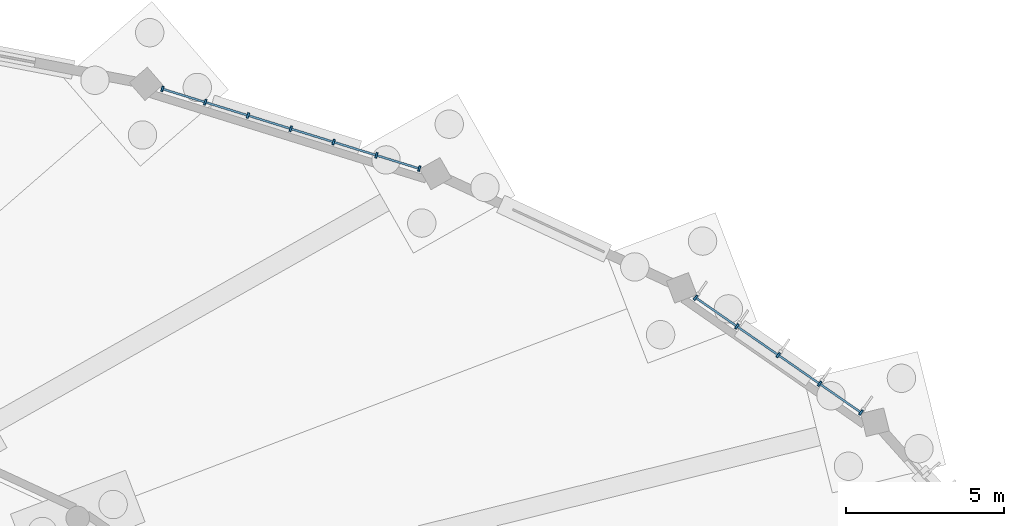
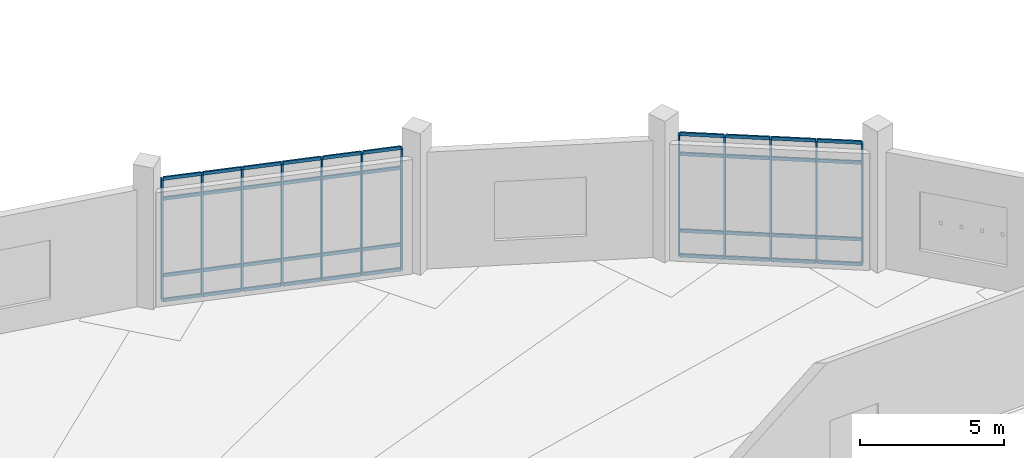
# One storey, part 56 of 140: 52 members, 2 elements without a shape of their own.
"""IFC4 building model written with IfcOpenShell, lengths in metres."""

import ifcopenshell
import ifcopenshell.guid

model = None  # the IFC model being written
_history = None  # IfcOwnerHistory: only IFC2X3 demands one
_inside = {}  # id of a spatial element -> (the spatial element, [elements in it])
_under = {}  # id of a project, library or spatial element -> (it, [spatial elements below it])
_declared = {}  # id of a project -> (the project, [libraries it declares])
_typed = {}  # id of a type object -> (the type object, [elements of that type])
_made_of = {}  # id of a material, layer set ... -> (it, [elements and type objects made of it])


def new_model(schema):
    """Start an empty IFC model of exactly this schema.

    Asked for "IFC4X3", IfcOpenShell would pick the latest addendum, in which some entities
    have other attributes; the version numbers below select the first issue.
    IFC2X3 requires an IfcOwnerHistory on every rooted entity: one is made here for all.
    """
    global model, _history
    if schema == "IFC4X3":
        model = ifcopenshell.file(schema_version=(4, 3, 0, 0))
    else:
        model = ifcopenshell.file(schema=schema)
    _inside.clear()
    _under.clear()
    _declared.clear()
    _typed.clear()
    _made_of.clear()
    _history = None
    if model.schema == "IFC2X3":
        org = make("IfcOrganization", Name="unknown")
        user = make(
            "IfcPersonAndOrganization",
            ThePerson=make("IfcPerson", FamilyName="unknown"),
            TheOrganization=org,
        )
        app = make(
            "IfcApplication",
            ApplicationDeveloper=org,
            Version="unknown",
            ApplicationFullName="unknown",
            ApplicationIdentifier="unknown",
        )
        _history = make(
            "IfcOwnerHistory",
            OwningUser=user,
            OwningApplication=app,
            ChangeAction="ADDED",
            CreationDate=0,
        )
    return model


def make(cls, **values):
    """One entity of the class cls with the attributes given. An attribute that is None is left unset."""
    return model.create_entity(
        cls, **{name: value for name, value in values.items() if value is not None}
    )


def rooted(cls, **values):
    """An entity with a GlobalId (a new one), such as an element, a storey or a relation."""
    return make(cls, GlobalId=ifcopenshell.guid.new(), OwnerHistory=_history, **values)


def si_unit(unit_type, name, prefix=None):
    """IfcSIUnit, for example si_unit("LENGTHUNIT", "METRE", prefix="MILLI")."""
    return make("IfcSIUnit", UnitType=unit_type, Prefix=prefix, Name=name)


def assignment(units):
    """IfcUnitAssignment: the units of a project."""
    return None if units is None else make("IfcUnitAssignment", Units=units)


def point(xyz):
    """IfcCartesianPoint."""
    return None if xyz is None else make("IfcCartesianPoint", Coordinates=xyz)


def direction(xyz):
    """IfcDirection."""
    return None if xyz is None else make("IfcDirection", DirectionRatios=xyz)


def frame(location, z_axis=None, x_axis=None):
    """IfcAxis2Placement3D, a coordinate frame: its origin and axes. An axis left out is left unset."""
    return make(
        "IfcAxis2Placement3D",
        Location=point(location),
        Axis=direction(z_axis),
        RefDirection=direction(x_axis),
    )


def frame_2d(location, x_axis=None):
    """IfcAxis2Placement2D, a coordinate frame in the plane: its origin and x axis."""
    return make(
        "IfcAxis2Placement2D", Location=point(location), RefDirection=direction(x_axis)
    )


def origin():
    """The frame at (0, 0, 0) with its axes left unset."""
    return frame((0.0, 0.0, 0.0))


def origin_2d():
    """The frame at (0, 0) in the plane with its x axis left unset."""
    return frame_2d((0.0, 0.0))


def place(relative_to, where):
    """IfcLocalPlacement: puts the frame where relative to a parent placement (None: the world)."""
    return make(
        "IfcLocalPlacement", PlacementRelTo=relative_to, RelativePlacement=where
    )


def context(
    kind, dimensions, precision=None, world=None, true_north=None, identifier=None
):
    """IfcGeometricRepresentationContext, for example the 3D "Model" context."""
    return make(
        "IfcGeometricRepresentationContext",
        ContextIdentifier=identifier,
        ContextType=kind,
        CoordinateSpaceDimension=dimensions,
        Precision=precision,
        WorldCoordinateSystem=world,
        TrueNorth=true_north,
    )


def subcontext(parent, identifier, kind, view, scale=None):
    """IfcGeometricRepresentationSubContext, for example "Body" below "Model"."""
    return make(
        "IfcGeometricRepresentationSubContext",
        ContextIdentifier=identifier,
        ContextType=kind,
        ParentContext=parent,
        TargetScale=scale,
        TargetView=view,
    )


def project(units=None, contexts=None):
    """IfcProject with its units and contexts."""
    return rooted(
        "IfcProject",
        Name="project",
        RepresentationContexts=contexts,
        UnitsInContext=assignment(units),
    )


def spatial(cls, under=None, at=None, **own):
    """A site, building, storey or space (cls), placed at a placement, below another one or the project."""
    s = rooted(cls, ObjectPlacement=at, **own)
    if under is not None:
        _under.setdefault(under.id(), (under, []))[1].append(s)
    return s


def profile(cls, at=None, kind="AREA", **sizes):
    """A parametric profile (cls). Its sizes go by their IFC names, for example OverallWidth=200.0."""
    return make(cls, ProfileType=kind, Position=at, **sizes)


def rectangle(**sizes):
    """IfcRectangleProfileDef."""
    return profile("IfcRectangleProfileDef", **sizes)


def extrude(swept, where, along, depth):
    """IfcExtrudedAreaSolid: the profile swept, set in the frame where, extruded along a direction by depth."""
    return make(
        "IfcExtrudedAreaSolid",
        SweptArea=swept,
        Position=where,
        ExtrudedDirection=direction(along),
        Depth=depth,
    )


def shape(context_of_items, identifier, shape_type, items):
    """IfcShapeRepresentation: the items that make up one representation, for example the "Body"."""
    return make(
        "IfcShapeRepresentation",
        ContextOfItems=context_of_items,
        RepresentationIdentifier=identifier,
        RepresentationType=shape_type,
        Items=items,
    )


def material(Name=None, Category=None):
    """IfcMaterial."""
    return make("IfcMaterial", Name=Name, Category=Category)


def layer(
    of_material, thickness, ventilated=None, Name=None, Category=None, Priority=None
):
    """IfcMaterialLayer: one layer of a wall or slab, of a material (None: an air gap)."""
    return make(
        "IfcMaterialLayer",
        Material=of_material,
        LayerThickness=thickness,
        IsVentilated=ventilated,
        Name=Name,
        Category=Category,
        Priority=Priority,
    )


def layer_set(layers, Name=None):
    """IfcMaterialLayerSet."""
    return make("IfcMaterialLayerSet", MaterialLayers=layers, LayerSetName=Name)


def material_profile(
    of_material, cross_section, Name=None, Category=None, Priority=None
):
    """IfcMaterialProfile: a cross section and its material."""
    return make(
        "IfcMaterialProfile",
        Name=Name,
        Material=of_material,
        Profile=cross_section,
        Priority=Priority,
        Category=Category,
    )


def profile_set(profiles, Name=None, composite=None):
    """IfcMaterialProfileSet."""
    return make(
        "IfcMaterialProfileSet",
        Name=Name,
        MaterialProfiles=profiles,
        CompositeProfile=composite,
    )


def made_of(thing, what):
    """Note that an element or type object is made of a material, layer set ...; save() writes the relation."""
    if what is not None:
        _made_of.setdefault(what.id(), (what, []))[1].append(thing)
    return thing


def type_object(cls, material=None, **own):
    """A type object (cls), such as IfcWallType, which elements share."""
    return made_of(rooted(cls, **own), material)


def element(
    cls,
    number,
    at=None,
    inside=None,
    cuts=None,
    type_object=None,
    material=None,
    context=None,
    identifier="Body",
    shape_type=None,
    held_by="IfcProductDefinitionShape",
    body=None,
    shapes=None,
    **own,
):
    """One element of the class cls, such as IfcWall. Its Tag is "e" and its number.

    at: its placement. inside: the storey or other place that contains it. cuts: it is an
    opening in that element (IfcRelVoidsElement). A single representation is given by context,
    identifier, shape_type and body (its items); several are given by shapes. held_by: the class
    of the entity that holds the representations. save() writes the other relations.
    """
    e = rooted(cls, Tag="e%d" % number, ObjectPlacement=at, **own)
    if body is not None:
        shapes = [shape(context, identifier, shape_type, body)]
    if shapes is not None:
        e.Representation = make(held_by, Representations=shapes)
    if inside is not None:
        _inside.setdefault(inside.id(), (inside, []))[1].append(e)
    if cuts is not None:
        rooted(
            "IfcRelVoidsElement", RelatingBuildingElement=cuts, RelatedOpeningElement=e
        )
    if type_object is not None:
        _typed.setdefault(type_object.id(), (type_object, []))[1].append(e)
    return made_of(e, material)


def aggregate(whole, parts):
    """IfcRelAggregates: a whole, such as a stair, and the parts it consists of."""
    return rooted("IfcRelAggregates", RelatingObject=whole, RelatedObjects=parts)


def save(model, path):
    """Write the relations noted so far, then the file.

    IfcRelAggregates (storeys below a building ...), IfcRelContainedInSpatialStructure (elements
    in a storey), IfcRelDefinesByType, IfcRelAssociatesMaterial and IfcRelDeclares: one each for
    every whole, place, type object, material and project.
    """
    for whole, parts in _under.values():
        aggregate(whole, parts)
    for where, things in _inside.values():
        rooted(
            "IfcRelContainedInSpatialStructure",
            RelatedElements=things,
            RelatingStructure=where,
        )
    for kind, things in _typed.values():
        rooted("IfcRelDefinesByType", RelatedObjects=things, RelatingType=kind)
    for what, things in _made_of.values():
        rooted("IfcRelAssociatesMaterial", RelatedObjects=things, RelatingMaterial=what)
    for by, libraries in _declared.values():
        rooted("IfcRelDeclares", RelatingContext=by, RelatedDefinitions=libraries)
    model.write(path)


model = new_model("IFC4")

# Units and contexts
model_context = context("Model", 3, precision=1e-05, world=origin(), true_north=direction((0.0, 1.0)))
body_context = subcontext(model_context, "Body", "Model", "MODEL_VIEW")
ifc_project = project(units=[si_unit("LENGTHUNIT", "METRE"), si_unit("AREAUNIT", "SQUARE_METRE"), si_unit("VOLUMEUNIT", "CUBIC_METRE"), si_unit("PLANEANGLEUNIT", "RADIAN"), si_unit("MASSUNIT", "GRAM", prefix="KILO")], contexts=[model_context])

# Site, building, storey
site_placement = place(None, origin())
site = spatial("IfcSite", under=ifc_project, at=site_placement, CompositionType="ELEMENT")
building_placement = place(site_placement, origin())
building = spatial("IfcBuilding", under=site, at=building_placement, Name="Corvandel Quay Wholesale Market", CompositionType="ELEMENT")
storey_placement = place(building_placement, origin())
storey = spatial("IfcBuildingStorey", under=building, at=storey_placement, Name="L00", CompositionType="ELEMENT", Elevation=0.0)

# Curtain wall, members
ifc_material_1 = material(Name="Bronze anodised aluminium and low-E insulated glazing", Category="aluminium")
ifc_layer_1 = layer(ifc_material_1, 0.14990234375)
ifc_layer_set_1 = layer_set([ifc_layer_1], Name="Bronze anodised aluminium and low-E insulated glazing")
curtain_wall_type_1 = type_object("IfcCurtainWallType", Name="Stick Curtain Wall System CW05 H3450", PredefinedType="NOTDEFINED", material=ifc_layer_set_1)
curtain_wall_1_placement = place(storey_placement, origin())
curtain_wall_1 = element("IfcCurtainWall", 1, at=curtain_wall_1_placement, inside=storey, type_object=curtain_wall_type_1, Name="Curtain Wall CW-0092", PredefinedType="NOTDEFINED")
ifc_material_2 = material(Name="Anodised aluminium 6063-T6", Category="aluminium")
ifc_material_profile_1 = material_profile(ifc_material_2, rectangle(XDim=0.06494140625, YDim=0.179931640625, at=origin_2d()), Name="ALU-MUL-65x180")
ifc_profile_set_1 = profile_set([ifc_material_profile_1], Name="Anodised aluminium 6063-T6")
member_type_1 = type_object("IfcMemberType", Name="Curtain Wall Mullion ML01 65x180", PredefinedType="MULLION", material=ifc_profile_set_1)
member_1_placement = place(storey_placement, frame((163.18359375, 128.6240234375, 0.0), z_axis=(0.0, 0.0, 1.0), x_axis=(-0.821248804935, 0.570570241419, 0.0)))
member_1 = element("IfcMember", 2, at=member_1_placement, type_object=member_type_1, Name="Mullion CW-0092-M00", PredefinedType="MULLION", context=body_context, shape_type="SweptSolid", body=[
    extrude(rectangle(XDim=0.06494140625, YDim=0.179931640625, at=origin_2d()), origin(), (0.0, 0.0, 1.0), 5.14990234375),
])
member_2_placement = place(storey_placement, frame((161.873046875, 129.534423828125, 0.0), z_axis=(0.0, 0.0, 1.0), x_axis=(-0.821248804935, 0.570570241419, 0.0)))
member_2 = element("IfcMember", 3, at=member_2_placement, type_object=member_type_1, Name="Mullion CW-0092-M01", PredefinedType="MULLION", context=body_context, shape_type="SweptSolid", body=[
    extrude(rectangle(XDim=0.06494140625, YDim=0.179931640625, at=origin_2d()), origin(), (0.0, 0.0, 1.0), 5.14990234375),
])
member_3_placement = place(storey_placement, frame((160.5625, 130.445068359375, 0.0), z_axis=(0.0, 0.0, 1.0), x_axis=(-0.821248804935, 0.570570241419, 0.0)))
member_3 = element("IfcMember", 4, at=member_3_placement, type_object=member_type_1, Name="Mullion CW-0092-M02", PredefinedType="MULLION", context=body_context, shape_type="SweptSolid", body=[
    extrude(rectangle(XDim=0.06494140625, YDim=0.179931640625, at=origin_2d()), origin(), (0.0, 0.0, 1.0), 5.14990234375),
])
member_4_placement = place(storey_placement, frame((159.251953125, 131.35546875, 0.0), z_axis=(0.0, 0.0, 1.0), x_axis=(-0.821248804935, 0.570570241419, 0.0)))
member_4 = element("IfcMember", 5, at=member_4_placement, type_object=member_type_1, Name="Mullion CW-0092-M03", PredefinedType="MULLION", context=body_context, shape_type="SweptSolid", body=[
    extrude(rectangle(XDim=0.06494140625, YDim=0.179931640625, at=origin_2d()), origin(), (0.0, 0.0, 1.0), 5.14990234375),
])
member_5_placement = place(storey_placement, frame((157.94140625, 132.265869140625, 0.0), z_axis=(0.0, 0.0, 1.0), x_axis=(-0.821248804935, 0.570570241419, 0.0)))
member_5 = element("IfcMember", 6, at=member_5_placement, type_object=member_type_1, Name="Mullion CW-0092-M04", PredefinedType="MULLION", context=body_context, shape_type="SweptSolid", body=[
    extrude(rectangle(XDim=0.06494140625, YDim=0.179931640625, at=origin_2d()), origin(), (0.0, 0.0, 1.0), 5.14990234375),
])

ifc_layer_2 = layer(ifc_material_1, 0.174072265625)
ifc_layer_set_2 = layer_set([ifc_layer_2], Name="Bronze anodised aluminium and low-E insulated glazing")
curtain_wall_type_2 = type_object("IfcCurtainWallType", Name="Stick Curtain Wall System CW07 H3630", PredefinedType="NOTDEFINED", material=ifc_layer_set_2)
curtain_wall_2_placement = place(storey_placement, origin())
curtain_wall_2 = element("IfcCurtainWall", 7, at=curtain_wall_2_placement, inside=storey, type_object=curtain_wall_type_2, Name="Curtain Wall CW-0094", PredefinedType="NOTDEFINED")
member_6_placement = place(storey_placement, frame((149.182373046875, 136.35595703125, 0.0), z_axis=(0.0, 0.0, 1.0), x_axis=(-0.955123398809, 0.296208192067, 0.0)))
member_6 = element("IfcMember", 8, at=member_6_placement, type_object=member_type_1, Name="Mullion CW-0094-M00", PredefinedType="MULLION", context=body_context, shape_type="SweptSolid", body=[
    extrude(rectangle(XDim=0.06494140625, YDim=0.179931640625, at=origin_2d()), origin(), (0.0, 0.0, 1.0), 5.14990234375),
])
member_7_placement = place(storey_placement, frame((147.825439453125, 136.77685546875, 0.0), z_axis=(0.0, 0.0, 1.0), x_axis=(-0.955123398809, 0.296208192067, 0.0)))
member_7 = element("IfcMember", 9, at=member_7_placement, type_object=member_type_1, Name="Mullion CW-0094-M01", PredefinedType="MULLION", context=body_context, shape_type="SweptSolid", body=[
    extrude(rectangle(XDim=0.06494140625, YDim=0.179931640625, at=origin_2d()), origin(), (0.0, 0.0, 1.0), 5.14990234375),
])
member_8_placement = place(storey_placement, frame((146.46875, 137.19775390625, 0.0), z_axis=(0.0, 0.0, 1.0), x_axis=(-0.955123398809, 0.296208192067, 0.0)))
member_8 = element("IfcMember", 10, at=member_8_placement, type_object=member_type_1, Name="Mullion CW-0094-M02", PredefinedType="MULLION", context=body_context, shape_type="SweptSolid", body=[
    extrude(rectangle(XDim=0.06494140625, YDim=0.179931640625, at=origin_2d()), origin(), (0.0, 0.0, 1.0), 5.14990234375),
])
member_9_placement = place(storey_placement, frame((145.112060546875, 137.618408203125, 0.0), z_axis=(0.0, 0.0, 1.0), x_axis=(-0.955123398809, 0.296208192067, 0.0)))
member_9 = element("IfcMember", 11, at=member_9_placement, type_object=member_type_1, Name="Mullion CW-0094-M03", PredefinedType="MULLION", context=body_context, shape_type="SweptSolid", body=[
    extrude(rectangle(XDim=0.06494140625, YDim=0.179931640625, at=origin_2d()), origin(), (0.0, 0.0, 1.0), 5.14990234375),
])
member_10_placement = place(storey_placement, frame((143.755126953125, 138.039306640625, 0.0), z_axis=(0.0, 0.0, 1.0), x_axis=(-0.955123398809, 0.296208192067, 0.0)))
member_10 = element("IfcMember", 12, at=member_10_placement, type_object=member_type_1, Name="Mullion CW-0094-M04", PredefinedType="MULLION", context=body_context, shape_type="SweptSolid", body=[
    extrude(rectangle(XDim=0.06494140625, YDim=0.179931640625, at=origin_2d()), origin(), (0.0, 0.0, 1.0), 5.14990234375),
])
member_11_placement = place(storey_placement, frame((142.3984375, 138.460205078125, 0.0), z_axis=(0.0, 0.0, 1.0), x_axis=(-0.955123398809, 0.296208192067, 0.0)))
member_11 = element("IfcMember", 13, at=member_11_placement, type_object=member_type_1, Name="Mullion CW-0094-M05", PredefinedType="MULLION", context=body_context, shape_type="SweptSolid", body=[
    extrude(rectangle(XDim=0.06494140625, YDim=0.179931640625, at=origin_2d()), origin(), (0.0, 0.0, 1.0), 5.14990234375),
])
member_12_placement = place(storey_placement, frame((141.041748046875, 138.881103515625, 0.0), z_axis=(0.0, 0.0, 1.0), x_axis=(-0.955123398809, 0.296208192067, 0.0)))
member_12 = element("IfcMember", 14, at=member_12_placement, type_object=member_type_1, Name="Mullion CW-0094-M06", PredefinedType="MULLION", context=body_context, shape_type="SweptSolid", body=[
    extrude(rectangle(XDim=0.06494140625, YDim=0.179931640625, at=origin_2d()), origin(), (0.0, 0.0, 1.0), 5.14990234375),
])

# Member
ifc_material_profile_2 = material_profile(ifc_material_2, rectangle(XDim=0.06494140625, YDim=0.139892578125, at=origin_2d()), Name="ALU-TRN-65x140")
ifc_profile_set_2 = profile_set([ifc_material_profile_2], Name="Anodised aluminium 6063-T6")
member_type_2 = type_object("IfcMemberType", Name="Curtain Wall Transom TR01 65x140", PredefinedType="USERDEFINED", material=ifc_profile_set_2)
member_13_placement = place(storey_placement, frame((163.15673828125, 128.642578125, 0.0), z_axis=(-0.821197655875, 0.570643855646, 0.0), x_axis=(-0.570643855646, -0.821197655875, 0.0)))
member_13 = element("IfcMember", 15, at=member_13_placement, type_object=member_type_2, Name="Transom CW-0092-T00-0", ObjectType="TRANSOM", PredefinedType="USERDEFINED", context=body_context, shape_type="SweptSolid", body=[
    extrude(rectangle(XDim=0.06494140625, YDim=0.139892578125, at=origin_2d()), origin(), (0.0, 0.0, 1.0), 1.53076171875),
])

member_14_placement = place(storey_placement, frame((163.15673828125, 128.642578125, 1.050048828125), z_axis=(-0.821197655875, 0.570643855646, 0.0), x_axis=(-0.570643855646, -0.821197655875, 0.0)))
member_14 = element("IfcMember", 16, at=member_14_placement, type_object=member_type_2, Name="Transom CW-0092-T00-1", ObjectType="TRANSOM", PredefinedType="USERDEFINED", context=body_context, shape_type="SweptSolid", body=[
    extrude(rectangle(XDim=0.06494140625, YDim=0.139892578125, at=origin_2d()), origin(), (0.0, 0.0, 1.0), 1.53076171875),
])

member_15_placement = place(storey_placement, frame((163.15673828125, 128.642578125, 4.300048828125), z_axis=(-0.821197655875, 0.570643855646, 0.0), x_axis=(-0.570643855646, -0.821197655875, 0.0)))
member_15 = element("IfcMember", 17, at=member_15_placement, type_object=member_type_2, Name="Transom CW-0092-T00-2", ObjectType="TRANSOM", PredefinedType="USERDEFINED", context=body_context, shape_type="SweptSolid", body=[
    extrude(rectangle(XDim=0.06494140625, YDim=0.139892578125, at=origin_2d()), origin(), (0.0, 0.0, 1.0), 1.53076171875),
])

member_16_placement = place(storey_placement, frame((163.15673828125, 128.642578125, 5.14990234375), z_axis=(-0.821197655875, 0.570643855646, 0.0), x_axis=(-0.570643855646, -0.821197655875, 0.0)))
member_16 = element("IfcMember", 18, at=member_16_placement, type_object=member_type_2, Name="Transom CW-0092-T00-3", ObjectType="TRANSOM", PredefinedType="USERDEFINED", context=body_context, shape_type="SweptSolid", body=[
    extrude(rectangle(XDim=0.06494140625, YDim=0.139892578125, at=origin_2d()), origin(), (0.0, 0.0, 1.0), 1.53076171875),
])

member_17_placement = place(storey_placement, frame((161.84619140625, 129.552978515625, 0.0), z_axis=(-0.821197655875, 0.570643855646, 0.0), x_axis=(-0.570643855646, -0.821197655875, 0.0)))
member_17 = element("IfcMember", 19, at=member_17_placement, type_object=member_type_2, Name="Transom CW-0092-T01-0", ObjectType="TRANSOM", PredefinedType="USERDEFINED", context=body_context, shape_type="SweptSolid", body=[
    extrude(rectangle(XDim=0.06494140625, YDim=0.139892578125, at=origin_2d()), origin(), (0.0, 0.0, 1.0), 1.53076171875),
])

member_18_placement = place(storey_placement, frame((161.84619140625, 129.552978515625, 1.050048828125), z_axis=(-0.821197655875, 0.570643855646, 0.0), x_axis=(-0.570643855646, -0.821197655875, 0.0)))
member_18 = element("IfcMember", 20, at=member_18_placement, type_object=member_type_2, Name="Transom CW-0092-T01-1", ObjectType="TRANSOM", PredefinedType="USERDEFINED", context=body_context, shape_type="SweptSolid", body=[
    extrude(rectangle(XDim=0.06494140625, YDim=0.139892578125, at=origin_2d()), origin(), (0.0, 0.0, 1.0), 1.53076171875),
])

member_19_placement = place(storey_placement, frame((161.84619140625, 129.552978515625, 4.300048828125), z_axis=(-0.821197655875, 0.570643855646, 0.0), x_axis=(-0.570643855646, -0.821197655875, 0.0)))
member_19 = element("IfcMember", 21, at=member_19_placement, type_object=member_type_2, Name="Transom CW-0092-T01-2", ObjectType="TRANSOM", PredefinedType="USERDEFINED", context=body_context, shape_type="SweptSolid", body=[
    extrude(rectangle(XDim=0.06494140625, YDim=0.139892578125, at=origin_2d()), origin(), (0.0, 0.0, 1.0), 1.53076171875),
])

member_20_placement = place(storey_placement, frame((161.84619140625, 129.552978515625, 5.14990234375), z_axis=(-0.821197655875, 0.570643855646, 0.0), x_axis=(-0.570643855646, -0.821197655875, 0.0)))
member_20 = element("IfcMember", 22, at=member_20_placement, type_object=member_type_2, Name="Transom CW-0092-T01-3", ObjectType="TRANSOM", PredefinedType="USERDEFINED", context=body_context, shape_type="SweptSolid", body=[
    extrude(rectangle(XDim=0.06494140625, YDim=0.139892578125, at=origin_2d()), origin(), (0.0, 0.0, 1.0), 1.53076171875),
])

member_21_placement = place(storey_placement, frame((160.535888671875, 130.46337890625, 0.0), z_axis=(-0.821197655875, 0.570643855646, 0.0), x_axis=(-0.570643855646, -0.821197655875, 0.0)))
member_21 = element("IfcMember", 23, at=member_21_placement, type_object=member_type_2, Name="Transom CW-0092-T02-0", ObjectType="TRANSOM", PredefinedType="USERDEFINED", context=body_context, shape_type="SweptSolid", body=[
    extrude(rectangle(XDim=0.06494140625, YDim=0.139892578125, at=origin_2d()), origin(), (0.0, 0.0, 1.0), 1.53076171875),
])

member_22_placement = place(storey_placement, frame((160.535888671875, 130.46337890625, 1.050048828125), z_axis=(-0.821197655875, 0.570643855646, 0.0), x_axis=(-0.570643855646, -0.821197655875, 0.0)))
member_22 = element("IfcMember", 24, at=member_22_placement, type_object=member_type_2, Name="Transom CW-0092-T02-1", ObjectType="TRANSOM", PredefinedType="USERDEFINED", context=body_context, shape_type="SweptSolid", body=[
    extrude(rectangle(XDim=0.06494140625, YDim=0.139892578125, at=origin_2d()), origin(), (0.0, 0.0, 1.0), 1.53076171875),
])

member_23_placement = place(storey_placement, frame((160.535888671875, 130.46337890625, 4.300048828125), z_axis=(-0.821197655875, 0.570643855646, 0.0), x_axis=(-0.570643855646, -0.821197655875, 0.0)))
member_23 = element("IfcMember", 25, at=member_23_placement, type_object=member_type_2, Name="Transom CW-0092-T02-2", ObjectType="TRANSOM", PredefinedType="USERDEFINED", context=body_context, shape_type="SweptSolid", body=[
    extrude(rectangle(XDim=0.06494140625, YDim=0.139892578125, at=origin_2d()), origin(), (0.0, 0.0, 1.0), 1.53076171875),
])

member_24_placement = place(storey_placement, frame((160.535888671875, 130.46337890625, 5.14990234375), z_axis=(-0.821197655875, 0.570643855646, 0.0), x_axis=(-0.570643855646, -0.821197655875, 0.0)))
member_24 = element("IfcMember", 26, at=member_24_placement, type_object=member_type_2, Name="Transom CW-0092-T02-3", ObjectType="TRANSOM", PredefinedType="USERDEFINED", context=body_context, shape_type="SweptSolid", body=[
    extrude(rectangle(XDim=0.06494140625, YDim=0.139892578125, at=origin_2d()), origin(), (0.0, 0.0, 1.0), 1.53076171875),
])

member_25_placement = place(storey_placement, frame((159.225341796875, 131.3740234375, 0.0), z_axis=(-0.821272392975, 0.570536288536, 0.0), x_axis=(-0.570536288536, -0.821272392975, 0.0)))
member_25 = element("IfcMember", 27, at=member_25_placement, type_object=member_type_2, Name="Transom CW-0092-T03-0", ObjectType="TRANSOM", PredefinedType="USERDEFINED", context=body_context, shape_type="SweptSolid", body=[
    extrude(rectangle(XDim=0.06494140625, YDim=0.139892578125, at=origin_2d()), origin(), (0.0, 0.0, 1.0), 1.53076171875),
])

member_26_placement = place(storey_placement, frame((159.225341796875, 131.3740234375, 1.050048828125), z_axis=(-0.821272392975, 0.570536288536, 0.0), x_axis=(-0.570536288536, -0.821272392975, 0.0)))
member_26 = element("IfcMember", 28, at=member_26_placement, type_object=member_type_2, Name="Transom CW-0092-T03-1", ObjectType="TRANSOM", PredefinedType="USERDEFINED", context=body_context, shape_type="SweptSolid", body=[
    extrude(rectangle(XDim=0.06494140625, YDim=0.139892578125, at=origin_2d()), origin(), (0.0, 0.0, 1.0), 1.53076171875),
])

member_27_placement = place(storey_placement, frame((159.225341796875, 131.3740234375, 4.300048828125), z_axis=(-0.821272392975, 0.570536288536, 0.0), x_axis=(-0.570536288536, -0.821272392975, 0.0)))
member_27 = element("IfcMember", 29, at=member_27_placement, type_object=member_type_2, Name="Transom CW-0092-T03-2", ObjectType="TRANSOM", PredefinedType="USERDEFINED", context=body_context, shape_type="SweptSolid", body=[
    extrude(rectangle(XDim=0.06494140625, YDim=0.139892578125, at=origin_2d()), origin(), (0.0, 0.0, 1.0), 1.53076171875),
])

member_28_placement = place(storey_placement, frame((159.225341796875, 131.3740234375, 5.14990234375), z_axis=(-0.821272392975, 0.570536288536, 0.0), x_axis=(-0.570536288536, -0.821272392975, 0.0)))
member_28 = element("IfcMember", 30, at=member_28_placement, type_object=member_type_2, Name="Transom CW-0092-T03-3", ObjectType="TRANSOM", PredefinedType="USERDEFINED", context=body_context, shape_type="SweptSolid", body=[
    extrude(rectangle(XDim=0.06494140625, YDim=0.139892578125, at=origin_2d()), origin(), (0.0, 0.0, 1.0), 1.53076171875),
])

aggregate(curtain_wall_1, [member_1, member_2, member_3, member_4, member_5, member_13, member_14, member_15, member_16, member_17, member_18, member_19, member_20, member_21, member_22, member_23, member_24, member_25, member_26, member_27, member_28])

member_29_placement = place(storey_placement, frame((149.1513671875, 136.365478515625, 0.0), z_axis=(-0.955102806569, 0.296274583595, 0.0), x_axis=(-0.296274583595, -0.955102806569, 0.0)))
member_29 = element("IfcMember", 31, at=member_29_placement, type_object=member_type_2, Name="Transom CW-0094-T00-0", ObjectType="TRANSOM", PredefinedType="USERDEFINED", context=body_context, shape_type="SweptSolid", body=[
    extrude(rectangle(XDim=0.06494140625, YDim=0.139892578125, at=origin_2d()), origin(), (0.0, 0.0, 1.0), 1.35546875),
])

member_30_placement = place(storey_placement, frame((149.1513671875, 136.365478515625, 1.050048828125), z_axis=(-0.955102806569, 0.296274583595, 0.0), x_axis=(-0.296274583595, -0.955102806569, 0.0)))
member_30 = element("IfcMember", 32, at=member_30_placement, type_object=member_type_2, Name="Transom CW-0094-T00-1", ObjectType="TRANSOM", PredefinedType="USERDEFINED", context=body_context, shape_type="SweptSolid", body=[
    extrude(rectangle(XDim=0.06494140625, YDim=0.139892578125, at=origin_2d()), origin(), (0.0, 0.0, 1.0), 1.35546875),
])

member_31_placement = place(storey_placement, frame((149.1513671875, 136.365478515625, 4.300048828125), z_axis=(-0.955102806569, 0.296274583595, 0.0), x_axis=(-0.296274583595, -0.955102806569, 0.0)))
member_31 = element("IfcMember", 33, at=member_31_placement, type_object=member_type_2, Name="Transom CW-0094-T00-2", ObjectType="TRANSOM", PredefinedType="USERDEFINED", context=body_context, shape_type="SweptSolid", body=[
    extrude(rectangle(XDim=0.06494140625, YDim=0.139892578125, at=origin_2d()), origin(), (0.0, 0.0, 1.0), 1.35546875),
])

member_32_placement = place(storey_placement, frame((149.1513671875, 136.365478515625, 5.14990234375), z_axis=(-0.955102806569, 0.296274583595, 0.0), x_axis=(-0.296274583595, -0.955102806569, 0.0)))
member_32 = element("IfcMember", 34, at=member_32_placement, type_object=member_type_2, Name="Transom CW-0094-T00-3", ObjectType="TRANSOM", PredefinedType="USERDEFINED", context=body_context, shape_type="SweptSolid", body=[
    extrude(rectangle(XDim=0.06494140625, YDim=0.139892578125, at=origin_2d()), origin(), (0.0, 0.0, 1.0), 1.35546875),
])

member_33_placement = place(storey_placement, frame((147.79443359375, 136.78662109375, 0.0), z_axis=(-0.95515376027, 0.296110273786, 0.0), x_axis=(-0.296110273786, -0.95515376027, 0.0)))
member_33 = element("IfcMember", 35, at=member_33_placement, type_object=member_type_2, Name="Transom CW-0094-T01-0", ObjectType="TRANSOM", PredefinedType="USERDEFINED", context=body_context, shape_type="SweptSolid", body=[
    extrude(rectangle(XDim=0.06494140625, YDim=0.139892578125, at=origin_2d()), origin(), (0.0, 0.0, 1.0), 1.35546875),
])

member_34_placement = place(storey_placement, frame((147.79443359375, 136.78662109375, 1.050048828125), z_axis=(-0.95515376027, 0.296110273786, 0.0), x_axis=(-0.296110273786, -0.95515376027, 0.0)))
member_34 = element("IfcMember", 36, at=member_34_placement, type_object=member_type_2, Name="Transom CW-0094-T01-1", ObjectType="TRANSOM", PredefinedType="USERDEFINED", context=body_context, shape_type="SweptSolid", body=[
    extrude(rectangle(XDim=0.06494140625, YDim=0.139892578125, at=origin_2d()), origin(), (0.0, 0.0, 1.0), 1.35546875),
])

member_35_placement = place(storey_placement, frame((147.79443359375, 136.78662109375, 4.300048828125), z_axis=(-0.95515376027, 0.296110273786, 0.0), x_axis=(-0.296110273786, -0.95515376027, 0.0)))
member_35 = element("IfcMember", 37, at=member_35_placement, type_object=member_type_2, Name="Transom CW-0094-T01-2", ObjectType="TRANSOM", PredefinedType="USERDEFINED", context=body_context, shape_type="SweptSolid", body=[
    extrude(rectangle(XDim=0.06494140625, YDim=0.139892578125, at=origin_2d()), origin(), (0.0, 0.0, 1.0), 1.35546875),
])

member_36_placement = place(storey_placement, frame((147.79443359375, 136.78662109375, 5.14990234375), z_axis=(-0.95515376027, 0.296110273786, 0.0), x_axis=(-0.296110273786, -0.95515376027, 0.0)))
member_36 = element("IfcMember", 38, at=member_36_placement, type_object=member_type_2, Name="Transom CW-0094-T01-3", ObjectType="TRANSOM", PredefinedType="USERDEFINED", context=body_context, shape_type="SweptSolid", body=[
    extrude(rectangle(XDim=0.06494140625, YDim=0.139892578125, at=origin_2d()), origin(), (0.0, 0.0, 1.0), 1.35546875),
])

member_37_placement = place(storey_placement, frame((146.437744140625, 137.207275390625, 0.0), z_axis=(-0.955102806569, 0.296274583595, 0.0), x_axis=(-0.296274583595, -0.955102806569, 0.0)))
member_37 = element("IfcMember", 39, at=member_37_placement, type_object=member_type_2, Name="Transom CW-0094-T02-0", ObjectType="TRANSOM", PredefinedType="USERDEFINED", context=body_context, shape_type="SweptSolid", body=[
    extrude(rectangle(XDim=0.06494140625, YDim=0.139892578125, at=origin_2d()), origin(), (0.0, 0.0, 1.0), 1.35546875),
])

member_38_placement = place(storey_placement, frame((146.437744140625, 137.207275390625, 1.050048828125), z_axis=(-0.955102806569, 0.296274583595, 0.0), x_axis=(-0.296274583595, -0.955102806569, 0.0)))
member_38 = element("IfcMember", 40, at=member_38_placement, type_object=member_type_2, Name="Transom CW-0094-T02-1", ObjectType="TRANSOM", PredefinedType="USERDEFINED", context=body_context, shape_type="SweptSolid", body=[
    extrude(rectangle(XDim=0.06494140625, YDim=0.139892578125, at=origin_2d()), origin(), (0.0, 0.0, 1.0), 1.35546875),
])

member_39_placement = place(storey_placement, frame((146.437744140625, 137.207275390625, 4.300048828125), z_axis=(-0.955102806569, 0.296274583595, 0.0), x_axis=(-0.296274583595, -0.955102806569, 0.0)))
member_39 = element("IfcMember", 41, at=member_39_placement, type_object=member_type_2, Name="Transom CW-0094-T02-2", ObjectType="TRANSOM", PredefinedType="USERDEFINED", context=body_context, shape_type="SweptSolid", body=[
    extrude(rectangle(XDim=0.06494140625, YDim=0.139892578125, at=origin_2d()), origin(), (0.0, 0.0, 1.0), 1.35546875),
])

member_40_placement = place(storey_placement, frame((146.437744140625, 137.207275390625, 5.14990234375), z_axis=(-0.955102806569, 0.296274583595, 0.0), x_axis=(-0.296274583595, -0.955102806569, 0.0)))
member_40 = element("IfcMember", 42, at=member_40_placement, type_object=member_type_2, Name="Transom CW-0094-T02-3", ObjectType="TRANSOM", PredefinedType="USERDEFINED", context=body_context, shape_type="SweptSolid", body=[
    extrude(rectangle(XDim=0.06494140625, YDim=0.139892578125, at=origin_2d()), origin(), (0.0, 0.0, 1.0), 1.35546875),
])

member_41_placement = place(storey_placement, frame((145.0810546875, 137.628173828125, 0.0), z_axis=(-0.955102806569, 0.296274583595, 0.0), x_axis=(-0.296274583595, -0.955102806569, 0.0)))
member_41 = element("IfcMember", 43, at=member_41_placement, type_object=member_type_2, Name="Transom CW-0094-T03-0", ObjectType="TRANSOM", PredefinedType="USERDEFINED", context=body_context, shape_type="SweptSolid", body=[
    extrude(rectangle(XDim=0.06494140625, YDim=0.139892578125, at=origin_2d()), origin(), (0.0, 0.0, 1.0), 1.35546875),
])

member_42_placement = place(storey_placement, frame((145.0810546875, 137.628173828125, 1.050048828125), z_axis=(-0.955102806569, 0.296274583595, 0.0), x_axis=(-0.296274583595, -0.955102806569, 0.0)))
member_42 = element("IfcMember", 44, at=member_42_placement, type_object=member_type_2, Name="Transom CW-0094-T03-1", ObjectType="TRANSOM", PredefinedType="USERDEFINED", context=body_context, shape_type="SweptSolid", body=[
    extrude(rectangle(XDim=0.06494140625, YDim=0.139892578125, at=origin_2d()), origin(), (0.0, 0.0, 1.0), 1.35546875),
])

member_43_placement = place(storey_placement, frame((145.0810546875, 137.628173828125, 4.300048828125), z_axis=(-0.955102806569, 0.296274583595, 0.0), x_axis=(-0.296274583595, -0.955102806569, 0.0)))
member_43 = element("IfcMember", 45, at=member_43_placement, type_object=member_type_2, Name="Transom CW-0094-T03-2", ObjectType="TRANSOM", PredefinedType="USERDEFINED", context=body_context, shape_type="SweptSolid", body=[
    extrude(rectangle(XDim=0.06494140625, YDim=0.139892578125, at=origin_2d()), origin(), (0.0, 0.0, 1.0), 1.35546875),
])

member_44_placement = place(storey_placement, frame((145.0810546875, 137.628173828125, 5.14990234375), z_axis=(-0.955102806569, 0.296274583595, 0.0), x_axis=(-0.296274583595, -0.955102806569, 0.0)))
member_44 = element("IfcMember", 46, at=member_44_placement, type_object=member_type_2, Name="Transom CW-0094-T03-3", ObjectType="TRANSOM", PredefinedType="USERDEFINED", context=body_context, shape_type="SweptSolid", body=[
    extrude(rectangle(XDim=0.06494140625, YDim=0.139892578125, at=origin_2d()), origin(), (0.0, 0.0, 1.0), 1.35546875),
])

member_45_placement = place(storey_placement, frame((143.72412109375, 138.049072265625, 0.0), z_axis=(-0.95515376027, 0.296110273786, 0.0), x_axis=(-0.296110273786, -0.95515376027, 0.0)))
member_45 = element("IfcMember", 47, at=member_45_placement, type_object=member_type_2, Name="Transom CW-0094-T04-0", ObjectType="TRANSOM", PredefinedType="USERDEFINED", context=body_context, shape_type="SweptSolid", body=[
    extrude(rectangle(XDim=0.06494140625, YDim=0.139892578125, at=origin_2d()), origin(), (0.0, 0.0, 1.0), 1.35546875),
])

member_46_placement = place(storey_placement, frame((143.72412109375, 138.049072265625, 1.050048828125), z_axis=(-0.95515376027, 0.296110273786, 0.0), x_axis=(-0.296110273786, -0.95515376027, 0.0)))
member_46 = element("IfcMember", 48, at=member_46_placement, type_object=member_type_2, Name="Transom CW-0094-T04-1", ObjectType="TRANSOM", PredefinedType="USERDEFINED", context=body_context, shape_type="SweptSolid", body=[
    extrude(rectangle(XDim=0.06494140625, YDim=0.139892578125, at=origin_2d()), origin(), (0.0, 0.0, 1.0), 1.35546875),
])

member_47_placement = place(storey_placement, frame((143.72412109375, 138.049072265625, 4.300048828125), z_axis=(-0.95515376027, 0.296110273786, 0.0), x_axis=(-0.296110273786, -0.95515376027, 0.0)))
member_47 = element("IfcMember", 49, at=member_47_placement, type_object=member_type_2, Name="Transom CW-0094-T04-2", ObjectType="TRANSOM", PredefinedType="USERDEFINED", context=body_context, shape_type="SweptSolid", body=[
    extrude(rectangle(XDim=0.06494140625, YDim=0.139892578125, at=origin_2d()), origin(), (0.0, 0.0, 1.0), 1.35546875),
])

member_48_placement = place(storey_placement, frame((143.72412109375, 138.049072265625, 5.14990234375), z_axis=(-0.95515376027, 0.296110273786, 0.0), x_axis=(-0.296110273786, -0.95515376027, 0.0)))
member_48 = element("IfcMember", 50, at=member_48_placement, type_object=member_type_2, Name="Transom CW-0094-T04-3", ObjectType="TRANSOM", PredefinedType="USERDEFINED", context=body_context, shape_type="SweptSolid", body=[
    extrude(rectangle(XDim=0.06494140625, YDim=0.139892578125, at=origin_2d()), origin(), (0.0, 0.0, 1.0), 1.35546875),
])

member_49_placement = place(storey_placement, frame((142.367431640625, 138.4697265625, 0.0), z_axis=(-0.955102806569, 0.296274583595, 0.0), x_axis=(-0.296274583595, -0.955102806569, 0.0)))
member_49 = element("IfcMember", 51, at=member_49_placement, type_object=member_type_2, Name="Transom CW-0094-T05-0", ObjectType="TRANSOM", PredefinedType="USERDEFINED", context=body_context, shape_type="SweptSolid", body=[
    extrude(rectangle(XDim=0.06494140625, YDim=0.139892578125, at=origin_2d()), origin(), (0.0, 0.0, 1.0), 1.35546875),
])

member_50_placement = place(storey_placement, frame((142.367431640625, 138.4697265625, 1.050048828125), z_axis=(-0.955102806569, 0.296274583595, 0.0), x_axis=(-0.296274583595, -0.955102806569, 0.0)))
member_50 = element("IfcMember", 52, at=member_50_placement, type_object=member_type_2, Name="Transom CW-0094-T05-1", ObjectType="TRANSOM", PredefinedType="USERDEFINED", context=body_context, shape_type="SweptSolid", body=[
    extrude(rectangle(XDim=0.06494140625, YDim=0.139892578125, at=origin_2d()), origin(), (0.0, 0.0, 1.0), 1.35546875),
])

member_51_placement = place(storey_placement, frame((142.367431640625, 138.4697265625, 4.300048828125), z_axis=(-0.955102806569, 0.296274583595, 0.0), x_axis=(-0.296274583595, -0.955102806569, 0.0)))
member_51 = element("IfcMember", 53, at=member_51_placement, type_object=member_type_2, Name="Transom CW-0094-T05-2", ObjectType="TRANSOM", PredefinedType="USERDEFINED", context=body_context, shape_type="SweptSolid", body=[
    extrude(rectangle(XDim=0.06494140625, YDim=0.139892578125, at=origin_2d()), origin(), (0.0, 0.0, 1.0), 1.35546875),
])

member_52_placement = place(storey_placement, frame((142.367431640625, 138.4697265625, 5.14990234375), z_axis=(-0.955102806569, 0.296274583595, 0.0), x_axis=(-0.296274583595, -0.955102806569, 0.0)))
member_52 = element("IfcMember", 54, at=member_52_placement, type_object=member_type_2, Name="Transom CW-0094-T05-3", ObjectType="TRANSOM", PredefinedType="USERDEFINED", context=body_context, shape_type="SweptSolid", body=[
    extrude(rectangle(XDim=0.06494140625, YDim=0.139892578125, at=origin_2d()), origin(), (0.0, 0.0, 1.0), 1.35546875),
])

aggregate(curtain_wall_2, [member_6, member_7, member_8, member_9, member_10, member_11, member_12, member_29, member_30, member_31, member_32, member_33, member_34, member_35, member_36, member_37, member_38, member_39, member_40, member_41, member_42, member_43, member_44, member_45, member_46, member_47, member_48, member_49, member_50, member_51, member_52])

save(model, "model.ifc")
